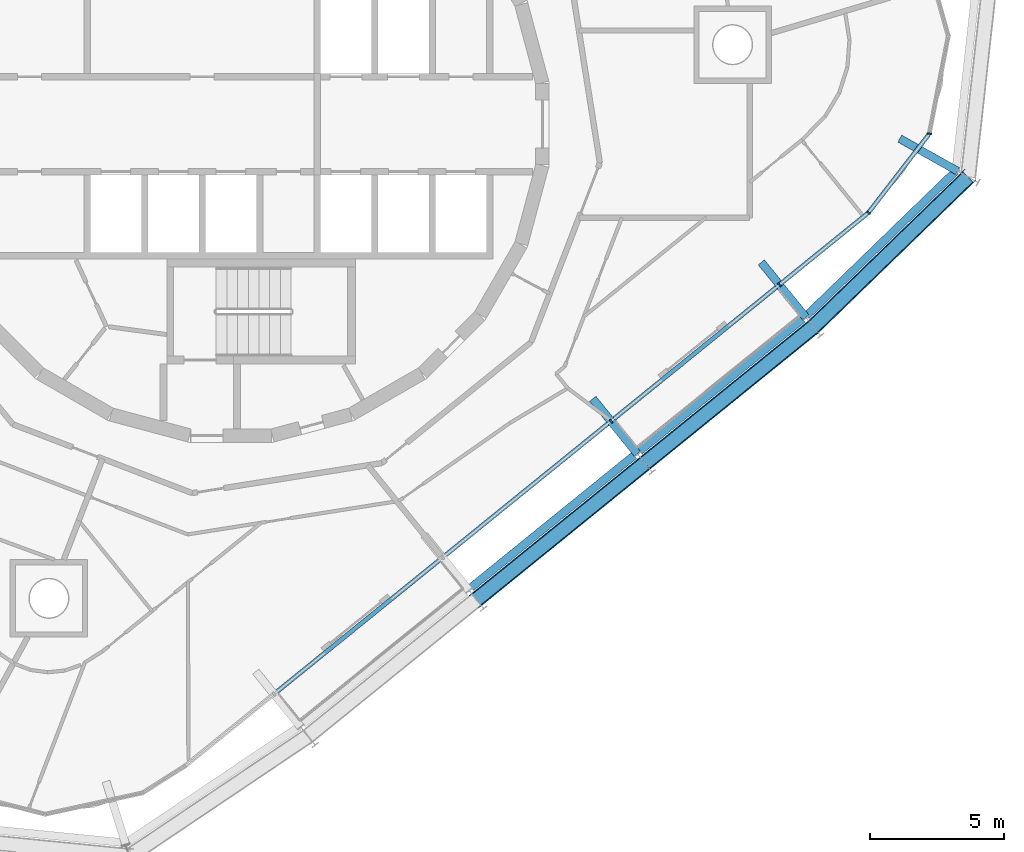
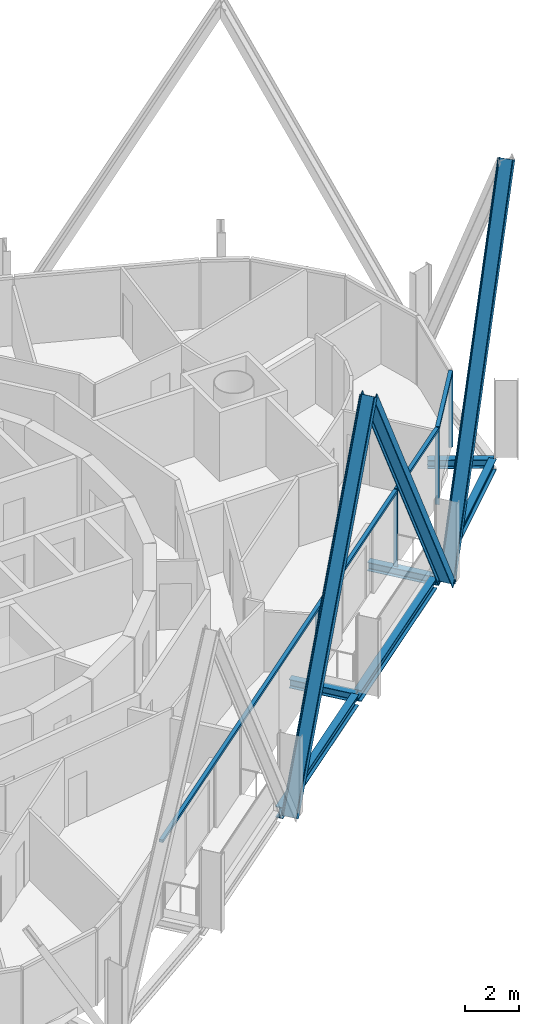
# One storey, part 4 of 18: 10 members, 6 beams, 2 elements without a shape of their own.
"""IFC4 building model written with IfcOpenShell, lengths in metres."""

from ifc_helpers import new_model, si_unit, direction, frame, origin, origin_2d, place, context, subcontext, project, spatial, rectangle, i_section, extrude, material, layer, layer_set, material_profile, profile_set, type_object, element, aggregate, save


model = new_model("IFC4")

# Units and contexts
model_context = context("Model", 3, precision=1e-05, world=origin(), true_north=direction((0.0, 1.0)))
body_context = subcontext(model_context, "Body", "Model", "MODEL_VIEW")
ifc_project = project(units=[si_unit("LENGTHUNIT", "METRE"), si_unit("AREAUNIT", "SQUARE_METRE"), si_unit("VOLUMEUNIT", "CUBIC_METRE"), si_unit("PLANEANGLEUNIT", "RADIAN"), si_unit("MASSUNIT", "GRAM", prefix="KILO")], contexts=[model_context])

# Site, building, storey
site_placement = place(None, origin())
site = spatial("IfcSite", under=ifc_project, at=site_placement, CompositionType="ELEMENT")
building_placement = place(site_placement, origin())
building = spatial("IfcBuilding", under=site, at=building_placement, Name="Spindle Arch Residences", CompositionType="ELEMENT")
storey_placement = place(building_placement, frame((0.0, 0.0, 277.39990234375)))
storey = spatial("IfcBuildingStorey", under=building, at=storey_placement, Name="L71", CompositionType="ELEMENT", Elevation=277.39990234375)

# Curtain wall, members
ifc_material_1 = material(Name="Aluminium bronze unitised frame with tinted glass", Category="aluminium")
ifc_layer_1 = layer(ifc_material_1, 0.159912109375)
ifc_layer_set_1 = layer_set([ifc_layer_1], Name="CW-D corner wall on the fillet arcs")
curtain_wall_type_1 = type_object("IfcCurtainWallType", Name="CW-D corner wall on the fillet arcs", PredefinedType="NOTDEFINED", material=ifc_layer_set_1)
curtain_wall_1_placement = place(storey_placement, origin())
curtain_wall_1 = element("IfcCurtainWall", 1, at=curtain_wall_1_placement, inside=storey, type_object=curtain_wall_type_1, Name="CW-D L71 run 1", PredefinedType="NOTDEFINED")
ifc_material_2 = material(Name="Aluminium bronze anodised mullion", Category="aluminium")
ifc_material_profile_1 = material_profile(ifc_material_2, rectangle(XDim=0.159912109375, YDim=0.06005859375, at=origin_2d()), Name="MU 60x160")
ifc_profile_set_1 = profile_set([ifc_material_profile_1], Name="Aluminium bronze anodised mullion")
member_type_1 = type_object("IfcMemberType", Name="Bronze mullion 60x160", PredefinedType="MULLION", material=ifc_profile_set_1)
member_1_placement = place(storey_placement, frame((20.512451171875, -6.006103515625, -0.3798828125), z_axis=(0.0, 0.0, 1.0), x_axis=(-0.62932039105, 0.777145961457, 0.0)))
member_1 = element("IfcMember", 2, at=member_1_placement, type_object=member_type_1, Name="CW-D mullion 00", PredefinedType="MULLION", context=body_context, shape_type="SweptSolid", body=[
    extrude(rectangle(XDim=0.159912109375, YDim=0.06005859375, at=origin_2d()), origin(), (0.0, 0.0, 1.0), 3.3798828125),
])
member_2_placement = place(storey_placement, frame((23.84423828125, -3.30810546875, -0.3798828125), z_axis=(0.0, 0.0, 1.0), x_axis=(-0.791579170105, 0.611066622764, 0.0)))
member_2 = element("IfcMember", 3, at=member_2_placement, type_object=member_type_1, Name="CW-D mullion 01", PredefinedType="MULLION", context=body_context, shape_type="SweptSolid", body=[
    extrude(rectangle(XDim=0.159912109375, YDim=0.06005859375, at=origin_2d()), origin(), (0.0, 0.0, 1.0), 3.3798828125),
])
member_3_placement = place(storey_placement, frame((26.12158203125, -0.358154296875, -0.3798828125), z_axis=(0.0, 0.0, 1.0), x_axis=(-0.981627183558, 0.190808994811, 0.0)))
member_3 = element("IfcMember", 4, at=member_3_placement, type_object=member_type_1, Name="CW-D mullion 02", PredefinedType="MULLION", context=body_context, shape_type="SweptSolid", body=[
    extrude(rectangle(XDim=0.159912109375, YDim=0.06005859375, at=origin_2d()), origin(), (0.0, 0.0, 1.0), 3.3798828125),
])

# Curtain wall, member
ifc_material_3 = material(Name="Aluminium bronze unitised frame with tinted glass", Category="aluminium")
ifc_layer_2 = layer(ifc_material_3, 0.159912109375)
ifc_layer_set_2 = layer_set([ifc_layer_2], Name="CW-C typical residential unitised wall")
curtain_wall_type_2 = type_object("IfcCurtainWallType", Name="CW-C typical residential unitised wall", PredefinedType="NOTDEFINED", material=ifc_layer_set_2)
curtain_wall_2_placement = place(storey_placement, origin())
curtain_wall_2 = element("IfcCurtainWall", 5, at=curtain_wall_2_placement, inside=storey, type_object=curtain_wall_type_2, Name="CW-C L71 run 6", PredefinedType="NOTDEFINED")
member_4_placement = place(storey_placement, frame((14.211669921875, -11.1083984375, -0.3798828125), z_axis=(0.0, 0.0, 1.0), x_axis=(-0.62932039105, 0.777145961457, 0.0)))
member_4 = element("IfcMember", 6, at=member_4_placement, type_object=member_type_1, Name="CW-C mullion 00", PredefinedType="MULLION", context=body_context, shape_type="SweptSolid", body=[
    extrude(rectangle(XDim=0.159912109375, YDim=0.06005859375, at=origin_2d()), origin(), (0.0, 0.0, 1.0), 3.3798828125),
])

# Member
ifc_material_4 = material(Name="Aluminium bronze anodised transom", Category="aluminium")
ifc_material_profile_2 = material_profile(ifc_material_4, rectangle(XDim=0.159912109375, YDim=0.1201171875, at=origin_2d()), Name="TR 120x160")
ifc_profile_set_2 = profile_set([ifc_material_profile_2], Name="Aluminium bronze anodised transom")
member_type_2 = type_object("IfcMemberType", Name="Bronze transom 120x160", PredefinedType="USERDEFINED", material=ifc_profile_set_2)
member_5_placement = place(storey_placement, frame((20.535888671875, -5.9873046875, 3.06005859375), z_axis=(0.777158783918, 0.6293045563, 0.0), x_axis=(-0.6293045563, 0.777158783918, 0.0)))
member_5 = element("IfcMember", 7, at=member_5_placement, type_object=member_type_2, Name="CW-D transom 00", ObjectType="TRANSOM", PredefinedType="USERDEFINED", context=body_context, shape_type="SweptSolid", body=[
    extrude(rectangle(XDim=0.159912109375, YDim=0.1201171875, at=origin_2d()), origin(), (0.0, 0.0, 1.0), 4.22705078125),
])

member_6_placement = place(storey_placement, frame((23.862548828125, -3.284423828125, 3.06005859375), z_axis=(0.611074135379, 0.791573370617, 0.0), x_axis=(-0.791573370617, 0.611074135379, 0.0)))
member_6 = element("IfcMember", 8, at=member_6_placement, type_object=member_type_2, Name="CW-D transom 01", ObjectType="TRANSOM", PredefinedType="USERDEFINED", context=body_context, shape_type="SweptSolid", body=[
    extrude(rectangle(XDim=0.159912109375, YDim=0.1201171875, at=origin_2d()), origin(), (0.0, 0.0, 1.0), 3.666748046875),
])

aggregate(curtain_wall_1, [member_1, member_5, member_2, member_6, member_3])

member_7_placement = place(storey_placement, frame((1.633544921875, -21.294189453125, 3.06005859375), z_axis=(0.777146208679, 0.629320085756, 0.0), x_axis=(-0.629320085756, 0.777146208679, 0.0)))
member_7 = element("IfcMember", 9, at=member_7_placement, type_object=member_type_2, Name="CW-C transom 00", ObjectType="TRANSOM", PredefinedType="USERDEFINED", context=body_context, shape_type="SweptSolid", body=[
    extrude(rectangle(XDim=0.159912109375, YDim=0.1201171875, at=origin_2d()), origin(), (0.0, 0.0, 1.0), 24.2626953125),
])

aggregate(curtain_wall_2, [member_7, member_4])

# Members
ifc_material_5 = material(Name="Steel S460ML, intumescent coating R 240", Category="steel")
ifc_material_profile_3 = material_profile(ifc_material_5, i_section(OverallWidth=0.300048828125, OverallDepth=0.60009765625, WebThickness=0.015380859375, FlangeThickness=0.030029296875, FilletRadius=0.027099609375, at=origin_2d()), Name="HEB 600")
ifc_profile_set_3 = profile_set([ifc_material_profile_3], Name="Steel S460ML, intumescent coating R 240")
member_type_3 = type_object("IfcMemberType", Name="Diagrid diagonal HEB 600", PredefinedType="BRACE", material=ifc_profile_set_3)
member_8_placement = place(storey_placement, frame((21.78369140625, -7.575927734375, -0.6298828125), z_axis=(-0.39423998617, -0.319250676959, 0.861773658547), x_axis=(0.669722729593, 0.542333203881, 0.507292973965)))
element("IfcMember", 10, at=member_8_placement, inside=storey, type_object=member_type_3, Name="Diagrid diagonal 7.2.1", PredefinedType="BRACE", context=body_context, shape_type="SweptSolid", body=[
    extrude(i_section(OverallWidth=0.300048828125, OverallDepth=0.60009765625, WebThickness=0.015380859375, FlangeThickness=0.030029296875, FilletRadius=0.027099609375, at=origin_2d()), origin(), (0.0, 0.0, 1.0), 15.982177734375),
])
member_9_placement = place(storey_placement, frame((21.78369140625, -7.575927734375, -0.6298828125), z_axis=(0.362406988813, 0.351051161714, 0.863379555189), x_axis=(-0.620140098638, -0.600708343858, 0.504554995695)))
element("IfcMember", 11, at=member_9_placement, inside=storey, type_object=member_type_3, Name="Diagrid diagonal 7.2.2", PredefinedType="BRACE", context=body_context, shape_type="SweptSolid", body=[
    extrude(i_section(OverallWidth=0.300048828125, OverallDepth=0.60009765625, WebThickness=0.015380859375, FlangeThickness=0.030029296875, FilletRadius=0.027099609375, at=origin_2d()), origin(), (0.0, 0.0, 1.0), 15.952392578125),
])
member_10_placement = place(storey_placement, frame((9.18212890625, -17.780517578125, -0.6298828125), z_axis=(0.39423998617, 0.319250676959, 0.861773658547), x_axis=(-0.669722729593, -0.542333203881, 0.507292973965)))
element("IfcMember", 12, at=member_10_placement, inside=storey, type_object=member_type_3, Name="Diagrid diagonal 7.2.20", PredefinedType="BRACE", context=body_context, shape_type="SweptSolid", body=[
    extrude(i_section(OverallWidth=0.300048828125, OverallDepth=0.60009765625, WebThickness=0.015380859375, FlangeThickness=0.030029296875, FilletRadius=0.027099609375, at=origin_2d()), origin(), (0.0, 0.0, 1.0), 15.982177734375),
])

# Beams
ifc_material_6 = material(Name="Steel S460ML, intumescent coating R 120", Category="steel")
ifc_material_profile_4 = material_profile(ifc_material_6, i_section(OverallWidth=0.300048828125, OverallDepth=0.5, WebThickness=0.014404296875, FlangeThickness=0.028076171875, FilletRadius=0.027099609375, at=origin_2d()), Name="HEB 500")
ifc_profile_set_4 = profile_set([ifc_material_profile_4], Name="Steel S460ML, intumescent coating R 120")
beam_type_1 = type_object("IfcBeamType", Name="Exoskeleton edge beam HEB 500", PredefinedType="BEAM", material=ifc_profile_set_4)
beam_1_placement = place(storey_placement, frame((15.281982421875, -12.223388671875, -0.6298828125), z_axis=(0.777152125993, 0.629312778406, 0.0), x_axis=(-0.629312778406, 0.777152125993, 0.0)))
element("IfcBeam", 13, at=beam_1_placement, inside=storey, type_object=beam_type_1, Name="Exoskeleton edge beam 1", PredefinedType="BEAM", context=body_context, shape_type="SweptSolid", body=[
    extrude(i_section(OverallWidth=0.300048828125, OverallDepth=0.5, WebThickness=0.014404296875, FlangeThickness=0.028076171875, FilletRadius=0.027099609375, at=origin_2d()), origin(), (0.0, 0.0, 1.0), 7.847412109375),
])
beam_2_placement = place(storey_placement, frame((21.51025390625, -7.176025390625, -0.6298828125), z_axis=(0.718254418366, 0.695780562029, 0.0), x_axis=(-0.695780562029, 0.718254418366, 0.0)))
element("IfcBeam", 14, at=beam_2_placement, inside=storey, type_object=beam_type_1, Name="Exoskeleton edge beam 2", PredefinedType="BEAM", context=body_context, shape_type="SweptSolid", body=[
    extrude(i_section(OverallWidth=0.300048828125, OverallDepth=0.5, WebThickness=0.014404296875, FlangeThickness=0.028076171875, FilletRadius=0.027099609375, at=origin_2d()), origin(), (0.0, 0.0, 1.0), 7.7890625),
])
beam_3_placement = place(storey_placement, frame((8.981201171875, -17.32568359375, -0.6298828125), z_axis=(0.777152125993, 0.629312778406, 0.0), x_axis=(-0.629312778406, 0.777152125993, 0.0)))
element("IfcBeam", 15, at=beam_3_placement, inside=storey, type_object=beam_type_1, Name="Exoskeleton edge beam 20", PredefinedType="BEAM", context=body_context, shape_type="SweptSolid", body=[
    extrude(i_section(OverallWidth=0.300048828125, OverallDepth=0.5, WebThickness=0.014404296875, FlangeThickness=0.028076171875, FilletRadius=0.027099609375, at=origin_2d()), origin(), (0.0, 0.0, 1.0), 7.847412109375),
])
ifc_material_7 = material(Name="Steel S460ML, intumescent coating R 120", Category="steel")
ifc_material_profile_5 = material_profile(ifc_material_7, i_section(OverallWidth=0.300048828125, OverallDepth=0.389892578125, WebThickness=0.010986328125, FlangeThickness=0.01904296875, FilletRadius=0.027099609375, at=origin_2d()), Name="HEA 400")
ifc_profile_set_5 = profile_set([ifc_material_profile_5], Name="Steel S460ML, intumescent coating R 120")
beam_type_2 = type_object("IfcBeamType", Name="Floor outrigger HEA 400", PredefinedType="BEAM", material=ifc_profile_set_5)
for number, where, z_axis, x_axis, name in (
    (16, (15.19970703125, -12.32861328125, -0.574951171875), (-0.629301579077, 0.777161194715, 0.0), (-0.777161194715, -0.629301579077, 0.0), "Floor outrigger 1"),
    (17, (21.50048828125, -7.226318359375, -0.574951171875), (-0.629301579077, 0.777161194715, 0.0), (-0.777161194715, -0.629301579077, 0.0), "Floor outrigger 2"),
):
    element("IfcBeam", number, at=place(storey_placement, frame(where, z_axis=z_axis, x_axis=x_axis)), inside=storey, type_object=beam_type_2, Name=name, PredefinedType="BEAM", context=body_context, shape_type="SweptSolid", body=[
        extrude(i_section(OverallWidth=0.300048828125, OverallDepth=0.389892578125, WebThickness=0.010986328125, FlangeThickness=0.01904296875, FilletRadius=0.027099609375, at=origin_2d()), origin(), (0.0, 0.0, 1.0), 2.650146484375),
    ])
beam_4_placement = place(storey_placement, frame((27.172607421875, -1.75537109375, -0.574951171875), z_axis=(-0.871838442856, 0.489793558102, 0.0), x_axis=(-0.489793558102, -0.871838442856, 0.0)))
element("IfcBeam", 18, at=beam_4_placement, inside=storey, type_object=beam_type_2, Name="Floor outrigger 3", PredefinedType="BEAM", context=body_context, shape_type="SweptSolid", body=[
    extrude(i_section(OverallWidth=0.300048828125, OverallDepth=0.389892578125, WebThickness=0.010986328125, FlangeThickness=0.01904296875, FilletRadius=0.027099609375, at=origin_2d()), origin(), (0.0, 0.0, 1.0), 2.478759765625),
])

save(model, "model.ifc")
